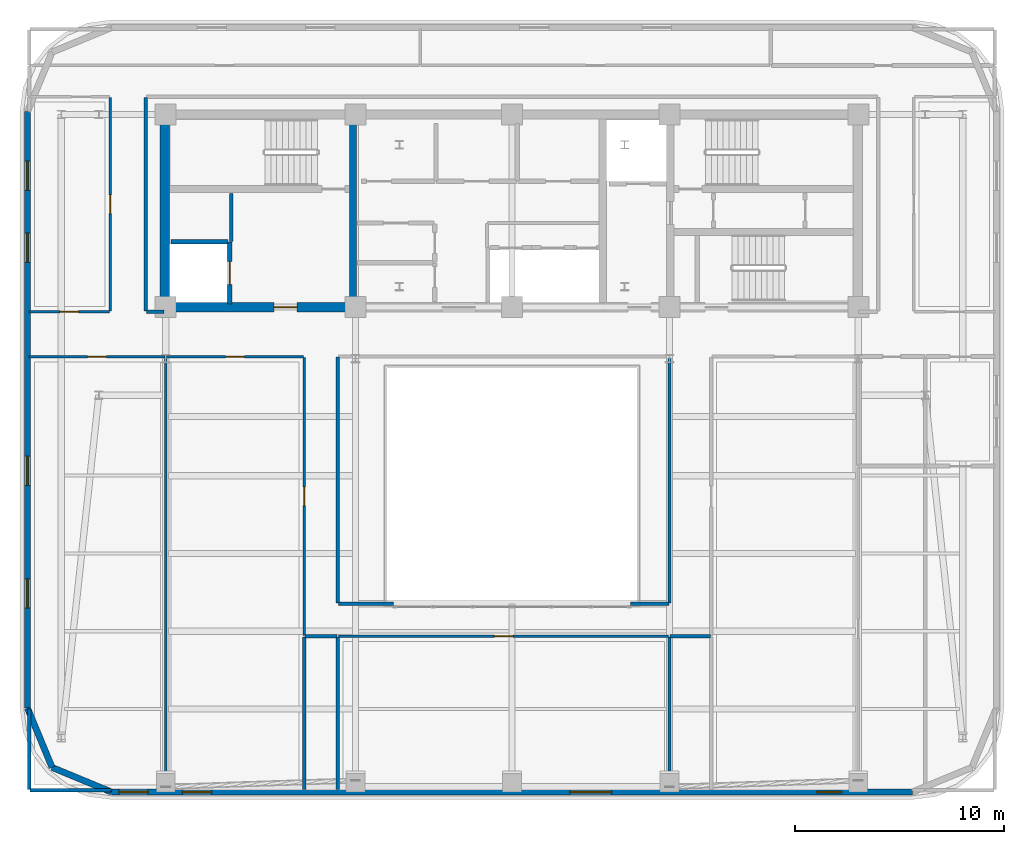
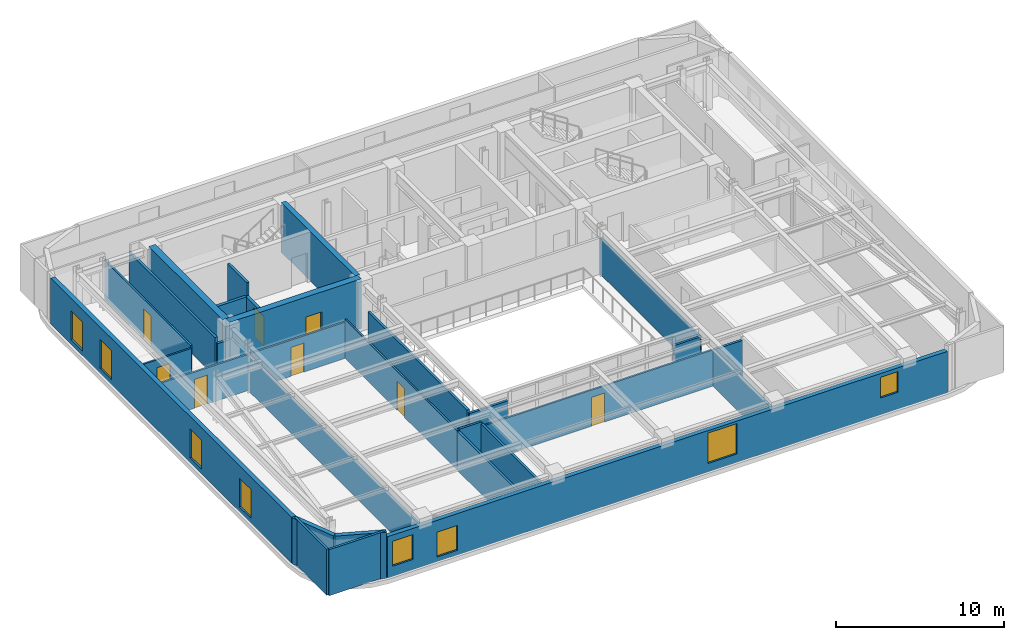
# One storey, part 6 of 13: 30 walls, 8 doors, 8 windows, 16 openings.
"""IFC4 building model written with IfcOpenShell, lengths in metres."""

from ifc_helpers import new_model, si_unit, direction, frame, frame_2d, origin, place, context, subcontext, project, spatial, rectangle, extrude, material, layer, layer_set, type_object, element, fill, save


model = new_model("IFC4")

# Units and contexts
model_context = context("Model", 3, precision=1e-05, world=origin(), true_north=direction((0.0, 1.0)))
body_context = subcontext(model_context, "Body", "Model", "MODEL_VIEW")
ifc_project = project(units=[si_unit("LENGTHUNIT", "METRE"), si_unit("AREAUNIT", "SQUARE_METRE"), si_unit("VOLUMEUNIT", "CUBIC_METRE"), si_unit("PLANEANGLEUNIT", "RADIAN"), si_unit("MASSUNIT", "GRAM", prefix="KILO")], contexts=[model_context])

# Site, building, storey
site_placement = place(None, origin())
site = spatial("IfcSite", under=ifc_project, at=site_placement, CompositionType="ELEMENT")
building_placement = place(site_placement, origin())
building = spatial("IfcBuilding", under=site, at=building_placement, Name="Zarnavel Station Tower", CompositionType="ELEMENT")
storey_placement = place(building_placement, frame((0.0, 0.0, 232.800048828125)))
storey = spatial("IfcBuildingStorey", under=building, at=storey_placement, Name="L63", CompositionType="ELEMENT", Elevation=232.800048828125)

# Wall
ifc_material_1 = material(Name="Concrete C50/60", Category="concrete")
ifc_layer_1 = layer(ifc_material_1, 0.35009765625)
ifc_layer_set_1 = layer_set([ifc_layer_1], Name="CW_350")
wall_type_1 = type_object("IfcWallType", Name="CW_350", PredefinedType="SHEAR", material=ifc_layer_set_1)
wall_1_placement = place(storey_placement, frame((21.179931640625, 28.044921875, 0.0), z_axis=(0.0, 0.0, 1.0), x_axis=(0.0, 1.0, 0.0)))
element("IfcWall", 1, at=wall_1_placement, inside=storey, type_object=wall_type_1, Name="L63 Rear Core Shear Wall DIV-W", PredefinedType="SHEAR", context=body_context, shape_type="SweptSolid", body=[
    extrude(rectangle(XDim=8.780029296875, YDim=0.35009765625, at=frame_2d((4.39013671875, 0.0))), origin(), (0.0, 0.0, 1.0), 3.599853515625),
])

# Wall, opening, door
ifc_material_2 = material(Name="Concrete C50/60", Category="concrete")
ifc_layer_2 = layer(ifc_material_2, 0.449951171875)
ifc_layer_set_2 = layer_set([ifc_layer_2], Name="CW_450")
wall_type_2 = type_object("IfcWallType", Name="CW_450", PredefinedType="SHEAR", material=ifc_layer_set_2)
wall_2_placement = place(storey_placement, frame((21.179931640625, 27.820068359375, 0.0), z_axis=(0.0, 0.0, 1.0), x_axis=(-1.0, 0.0, 0.0)))
wall_2 = element("IfcWall", 2, at=wall_2_placement, inside=storey, type_object=wall_type_2, Name="L63 Rear Core Shear Wall S-W", PredefinedType="SHEAR", context=body_context, shape_type="SweptSolid", body=[
    extrude(rectangle(XDim=9.030029296875, YDim=0.449951171875, at=frame_2d((4.51513671875, 0.0))), origin(), (0.0, 0.0, 1.0), 3.599853515625),
])
opening_1_placement = place(wall_2_placement, frame((2.679931640625, 0.0, 0.0)))
opening_1 = element("IfcOpeningElement", 3, at=opening_1_placement, cuts=wall_2, Name="Opening FD01", PredefinedType="OPENING", context=body_context, shape_type="SweptSolid", body=[
    extrude(rectangle(XDim=1.10009765625, YDim=2.14990234375, at=frame_2d((0.550048828125, 1.074951171875))), frame((0.0, 0.23486328125, 0.0), z_axis=(0.0, -1.0, 0.0), x_axis=(1.0, 0.0, 0.0)), (0.0, 0.0, 1.0), 0.469970703125),
])
ifc_material_3 = material(Name="Painted Galvanised Steel and Hardwood Leaf", Category="steel")
door_type_1 = type_object("IfcDoorType", Name="ID_STAIR_1100", OperationType="NOTDEFINED", PredefinedType="DOOR", material=ifc_material_3)
door_1_placement = place(opening_1_placement, origin())
door_1 = element("IfcDoor", 4, at=door_1_placement, inside=storey, type_object=door_type_1, Name="L63 West Firefighting Lobby Door", OperationType="SINGLE_SWING_RIGHT", OverallHeight=2.14990234375, OverallWidth=1.10009765625, PredefinedType="DOOR", context=body_context, shape_type="SweptSolid", body=[
    extrude(rectangle(XDim=1.10009765625, YDim=2.14990234375, at=frame_2d((0.550048828125, 1.074951171875))), frame((0.0, 0.02490234375, 0.0), z_axis=(0.0, -1.0, 0.0), x_axis=(1.0, 0.0, 0.0)), (0.0, 0.0, 1.0), 0.050048828125),
])
fill(opening_1, door_1)

# Wall
wall_3_placement = place(storey_placement, frame((12.14990234375, 28.044921875, 0.0), z_axis=(0.0, 0.0, 1.0), x_axis=(0.0, 1.0, 0.0)))
element("IfcWall", 5, at=wall_3_placement, inside=storey, type_object=wall_type_2, Name="L63 Rear Core Shear Wall W", PredefinedType="SHEAR", context=body_context, shape_type="SweptSolid", body=[
    extrude(rectangle(XDim=8.780029296875, YDim=0.449951171875, at=frame_2d((4.39013671875, 0.0))), origin(), (0.0, 0.0, 1.0), 3.599853515625),
])

# Wall, openings, windows
ifc_material_4 = material(Name="Precast concrete C45/55 (Dark Basalt Finish)", Category="masonry")
ifc_layer_3 = layer(ifc_material_4, 0.300048828125)
ifc_layer_set_3 = layer_set([ifc_layer_3], Name="EW_BASALT_300")
wall_type_3 = type_object("IfcWallType", Name="EW_BASALT_300", PredefinedType="SOLIDWALL", material=ifc_layer_set_3)
wall_4_placement = place(storey_placement, frame((5.580078125, 8.60009765625, 0.0), z_axis=(0.0, 0.0, 1.0), x_axis=(0.0, 1.0, 0.0)))
wall_4 = element("IfcWall", 6, at=wall_4_placement, inside=storey, type_object=wall_type_3, Name="L63 Exterior Basalt Masonry Frame Wall 09", PredefinedType="SOLIDWALL", context=body_context, shape_type="SweptSolid", body=[
    extrude(rectangle(XDim=28.599853515625, YDim=0.300048828125, at=frame_2d((14.2998046875, 0.0))), origin(), (0.0, 0.0, 1.0), 3.33984375),
])
opening_2_placement = place(wall_4_placement, frame((21.360107421875, 0.0, 0.340087890625)))
opening_2 = element("IfcOpeningElement", 7, at=opening_2_placement, cuts=wall_4, Name="Opening WN04", PredefinedType="OPENING", context=body_context, shape_type="SweptSolid", body=[
    extrude(rectangle(XDim=1.39990234375, YDim=2.10009765625, at=frame_2d((0.699951171875, 1.050048828125))), frame((0.0, 0.159912109375, 0.0), z_axis=(0.0, -1.0, 0.0), x_axis=(1.0, 0.0, 0.0)), (0.0, 0.0, 1.0), 0.320068359375),
])
opening_3_placement = place(wall_4_placement, frame((24.820068359375, 0.0, 0.340087890625)))
opening_3 = element("IfcOpeningElement", 8, at=opening_3_placement, cuts=wall_4, Name="Opening WN04", PredefinedType="OPENING", context=body_context, shape_type="SweptSolid", body=[
    extrude(rectangle(XDim=1.39990234375, YDim=2.10009765625, at=frame_2d((0.699951171875, 1.050048828125))), frame((0.0, 0.159912109375, 0.0), z_axis=(0.0, -1.0, 0.0), x_axis=(1.0, 0.0, 0.0)), (0.0, 0.0, 1.0), 0.320068359375),
])
opening_4_placement = place(wall_4_placement, frame((4.796630859375, 0.0, 0.340087890625)))
opening_4 = element("IfcOpeningElement", 9, at=opening_4_placement, cuts=wall_4, Name="Opening WN04", PredefinedType="OPENING", context=body_context, shape_type="SweptSolid", body=[
    extrude(rectangle(XDim=1.39990234375, YDim=2.10009765625, at=frame_2d((0.699951171875, 1.050048828125))), frame((0.0, 0.159912109375, 0.0), z_axis=(0.0, -1.0, 0.0), x_axis=(1.0, 0.0, 0.0)), (0.0, 0.0, 1.0), 0.320068359375),
])
opening_5_placement = place(wall_4_placement, frame((10.67333984375, 0.0, 0.340087890625)))
opening_5 = element("IfcOpeningElement", 10, at=opening_5_placement, cuts=wall_4, Name="Opening WN04", PredefinedType="OPENING", context=body_context, shape_type="SweptSolid", body=[
    extrude(rectangle(XDim=1.39990234375, YDim=2.10009765625, at=frame_2d((0.699951171875, 1.050048828125))), frame((0.0, 0.159912109375, 0.0), z_axis=(0.0, -1.0, 0.0), x_axis=(1.0, 0.0, 0.0)), (0.0, 0.0, 1.0), 0.320068359375),
])
ifc_material_5 = material(Name="Thermally Broken Black Aluminium and Low-E Dark Glass", Category="aluminium")
window_type_1 = type_object("IfcWindowType", Name="WN_1400x2100", PartitioningType="DOUBLE_PANEL_VERTICAL", PredefinedType="WINDOW", material=ifc_material_5)
window_1_placement = place(opening_2_placement, origin())
window_1 = element("IfcWindow", 11, at=window_1_placement, inside=storey, type_object=window_type_1, Name="L63 Recessed Facade Window 01", OverallHeight=2.10009765625, OverallWidth=1.39990234375, PartitioningType="SINGLE_PANEL", PredefinedType="WINDOW", context=body_context, shape_type="SweptSolid", body=[
    extrude(rectangle(XDim=1.39990234375, YDim=2.10009765625, at=frame_2d((0.699951171875, 1.050048828125))), frame((0.0, 0.030029296875, 0.0), z_axis=(0.0, -1.0, 0.0), x_axis=(1.0, 0.0, 0.0)), (0.0, 0.0, 1.0), 0.06005859375),
])
fill(opening_2, window_1)
window_2_placement = place(opening_3_placement, origin())
window_2 = element("IfcWindow", 12, at=window_2_placement, inside=storey, type_object=window_type_1, Name="L63 Recessed Facade Window 02", OverallHeight=2.10009765625, OverallWidth=1.39990234375, PartitioningType="SINGLE_PANEL", PredefinedType="WINDOW", context=body_context, shape_type="SweptSolid", body=[
    extrude(rectangle(XDim=1.39990234375, YDim=2.10009765625, at=frame_2d((0.699951171875, 1.050048828125))), frame((0.0, 0.030029296875, 0.0), z_axis=(0.0, -1.0, 0.0), x_axis=(1.0, 0.0, 0.0)), (0.0, 0.0, 1.0), 0.06005859375),
])
fill(opening_3, window_2)
window_3_placement = place(opening_4_placement, origin())
window_3 = element("IfcWindow", 13, at=window_3_placement, inside=storey, type_object=window_type_1, Name="L63 Recessed Facade Window 03", OverallHeight=2.10009765625, OverallWidth=1.39990234375, PartitioningType="SINGLE_PANEL", PredefinedType="WINDOW", context=body_context, shape_type="SweptSolid", body=[
    extrude(rectangle(XDim=1.39990234375, YDim=2.10009765625, at=frame_2d((0.699951171875, 1.050048828125))), frame((0.0, 0.030029296875, 0.0), z_axis=(0.0, -1.0, 0.0), x_axis=(1.0, 0.0, 0.0)), (0.0, 0.0, 1.0), 0.06005859375),
])
fill(opening_4, window_3)
window_4_placement = place(opening_5_placement, origin())
window_4 = element("IfcWindow", 14, at=window_4_placement, inside=storey, type_object=window_type_1, Name="L63 Recessed Facade Window 04", OverallHeight=2.10009765625, OverallWidth=1.39990234375, PartitioningType="SINGLE_PANEL", PredefinedType="WINDOW", context=body_context, shape_type="SweptSolid", body=[
    extrude(rectangle(XDim=1.39990234375, YDim=2.10009765625, at=frame_2d((0.699951171875, 1.050048828125))), frame((0.0, 0.030029296875, 0.0), z_axis=(0.0, -1.0, 0.0), x_axis=(1.0, 0.0, 0.0)), (0.0, 0.0, 1.0), 0.06005859375),
])
fill(opening_5, window_4)

# Walls
for number, where, z_axis, x_axis, name in (
    (15, (6.75732421875, 5.75732421875, 0.0), (0.0, 0.0, 1.0), (-0.382608747773, 0.923910464346, 0.0), "L63 Exterior Basalt Masonry Frame Wall 10"),
    (16, (9.60009765625, 4.580078125, 0.0), (0.0, 0.0, 1.0), (-0.923910464346, 0.382608747773, 0.0), "L63 Exterior Basalt Masonry Frame Wall 11"),
):
    element("IfcWall", number, at=place(storey_placement, frame(where, z_axis=z_axis, x_axis=x_axis)), inside=storey, type_object=wall_type_3, Name=name, PredefinedType="SOLIDWALL", context=body_context, shape_type="SweptSolid", body=[
        extrude(rectangle(XDim=3.076904296875, YDim=0.300048828125, at=frame_2d((1.53857421875, 0.0))), origin(), (0.0, 0.0, 1.0), 3.33984375),
    ])

# Wall, openings, windows
wall_5_placement = place(storey_placement, frame((48.0, 4.580078125, 0.0), z_axis=(0.0, 0.0, 1.0), x_axis=(-1.0, 0.0, 0.0)))
wall_5 = element("IfcWall", 17, at=wall_5_placement, inside=storey, type_object=wall_type_3, Name="L63 Exterior Basalt Masonry Frame Wall 12", PredefinedType="SOLIDWALL", context=body_context, shape_type="SweptSolid", body=[
    extrude(rectangle(XDim=38.39990234375, YDim=0.300048828125, at=frame_2d((19.199951171875, 0.0))), origin(), (0.0, 0.0, 1.0), 3.0),
])
opening_6_placement = place(wall_5_placement, frame((36.640625, 0.0, 0.75)))
opening_6 = element("IfcOpeningElement", 18, at=opening_6_placement, cuts=wall_5, Name="Opening WN01", PredefinedType="OPENING", context=body_context, shape_type="SweptSolid", body=[
    extrude(rectangle(XDim=1.39990234375, YDim=1.800048828125, at=frame_2d((0.699951171875, 0.89990234375))), frame((0.0, 0.159912109375, 0.0), z_axis=(0.0, -1.0, 0.0), x_axis=(1.0, 0.0, 0.0)), (0.0, 0.0, 1.0), 0.320068359375),
])
opening_7_placement = place(wall_5_placement, frame((33.598388671875, 0.0, 0.340087890625)))
opening_7 = element("IfcOpeningElement", 19, at=opening_7_placement, cuts=wall_5, Name="Opening WN01", PredefinedType="OPENING", context=body_context, shape_type="SweptSolid", body=[
    extrude(rectangle(XDim=1.39990234375, YDim=1.800048828125, at=frame_2d((0.699951171875, 0.89990234375))), frame((0.0, 0.159912109375, 0.0), z_axis=(0.0, -1.0, 0.0), x_axis=(1.0, 0.0, 0.0)), (0.0, 0.0, 1.0), 0.320068359375),
])
opening_8_placement = place(wall_5_placement, frame((14.425048828125, 0.0, 0.6201171875)))
opening_8 = element("IfcOpeningElement", 20, at=opening_8_placement, cuts=wall_5, Name="Opening WN07", PredefinedType="OPENING", context=body_context, shape_type="SweptSolid", body=[
    extrude(rectangle(XDim=2.0, YDim=2.199951171875, at=frame_2d((1.0, 1.10009765625))), frame((0.0, 0.159912109375, 0.0), z_axis=(0.0, -1.0, 0.0), x_axis=(1.0, 0.0, 0.0)), (0.0, 0.0, 1.0), 0.320068359375),
])
opening_9_placement = place(wall_5_placement, frame((3.401611328125, 0.0, 1.219970703125)))
opening_9 = element("IfcOpeningElement", 21, at=opening_9_placement, cuts=wall_5, Name="Opening WN08", PredefinedType="OPENING", context=body_context, shape_type="SweptSolid", body=[
    extrude(rectangle(XDim=1.199951171875, YDim=1.5, at=frame_2d((0.60009765625, 0.75))), frame((0.0, 0.159912109375, 0.0), z_axis=(0.0, -1.0, 0.0), x_axis=(1.0, 0.0, 0.0)), (0.0, 0.0, 1.0), 0.320068359375),
])
ifc_material_6 = material(Name="Thermally Broken Black Aluminium and Low-E Dark Glass", Category="aluminium")
window_type_2 = type_object("IfcWindowType", Name="WN_1200x1500", PartitioningType="SINGLE_PANEL", PredefinedType="WINDOW", material=ifc_material_6)
window_5_placement = place(opening_9_placement, origin())
window_5 = element("IfcWindow", 22, at=window_5_placement, inside=storey, type_object=window_type_2, Name="L63 Recessed Facade Window 04", OverallHeight=1.5, OverallWidth=1.199951171875, PartitioningType="SINGLE_PANEL", PredefinedType="WINDOW", context=body_context, shape_type="SweptSolid", body=[
    extrude(rectangle(XDim=1.199951171875, YDim=1.5, at=frame_2d((0.60009765625, 0.75))), frame((0.0, 0.030029296875, 0.0), z_axis=(0.0, -1.0, 0.0), x_axis=(1.0, 0.0, 0.0)), (0.0, 0.0, 1.0), 0.06005859375),
])
fill(opening_9, window_5)
ifc_material_7 = material(Name="Thermally Broken Black Aluminium and Low-E Dark Glass", Category="aluminium")
window_type_3 = type_object("IfcWindowType", Name="WN_1400x1800", PartitioningType="DOUBLE_PANEL_VERTICAL", PredefinedType="WINDOW", material=ifc_material_7)
window_6_placement = place(opening_6_placement, origin())
window_6 = element("IfcWindow", 23, at=window_6_placement, inside=storey, type_object=window_type_3, Name="L63 Recessed Facade Window 01", OverallHeight=1.800048828125, OverallWidth=1.39990234375, PartitioningType="SINGLE_PANEL", PredefinedType="WINDOW", context=body_context, shape_type="SweptSolid", body=[
    extrude(rectangle(XDim=1.39990234375, YDim=1.800048828125, at=frame_2d((0.699951171875, 0.89990234375))), frame((0.0, 0.030029296875, 0.0), z_axis=(0.0, -1.0, 0.0), x_axis=(1.0, 0.0, 0.0)), (0.0, 0.0, 1.0), 0.06005859375),
])
fill(opening_6, window_6)
window_7_placement = place(opening_7_placement, origin())
window_7 = element("IfcWindow", 24, at=window_7_placement, inside=storey, type_object=window_type_3, Name="L63 Recessed Facade Window 02", OverallHeight=1.800048828125, OverallWidth=1.39990234375, PartitioningType="SINGLE_PANEL", PredefinedType="WINDOW", context=body_context, shape_type="SweptSolid", body=[
    extrude(rectangle(XDim=1.39990234375, YDim=1.800048828125, at=frame_2d((0.699951171875, 0.89990234375))), frame((0.0, 0.030029296875, 0.0), z_axis=(0.0, -1.0, 0.0), x_axis=(1.0, 0.0, 0.0)), (0.0, 0.0, 1.0), 0.06005859375),
])
fill(opening_7, window_7)
ifc_material_8 = material(Name="Thermally Broken Black Aluminium and Low-E Dark Glass", Category="aluminium")
window_type_4 = type_object("IfcWindowType", Name="WN_2000x2200", PartitioningType="TRIPLE_PANEL_VERTICAL", PredefinedType="WINDOW", material=ifc_material_8)
window_8_placement = place(opening_8_placement, origin())
window_8 = element("IfcWindow", 25, at=window_8_placement, inside=storey, type_object=window_type_4, Name="L63 Recessed Facade Window 03", OverallHeight=2.199951171875, OverallWidth=2.0, PartitioningType="SINGLE_PANEL", PredefinedType="WINDOW", context=body_context, shape_type="SweptSolid", body=[
    extrude(rectangle(XDim=2.0, YDim=2.199951171875, at=frame_2d((1.0, 1.10009765625))), frame((0.0, 0.030029296875, 0.0), z_axis=(0.0, -1.0, 0.0), x_axis=(1.0, 0.0, 0.0)), (0.0, 0.0, 1.0), 0.06005859375),
])
fill(opening_8, window_8)

# Walls
ifc_material_9 = material(Name="Gypsum Twin-Stud Acoustic Fire Partition", Category="concrete")
ifc_layer_4 = layer(ifc_material_9, 0.159912109375)
ifc_layer_set_4 = layer_set([ifc_layer_4], Name="PT_DEMISE_160")
wall_type_4 = type_object("IfcWallType", Name="PT_DEMISE_160", PredefinedType="PARTITIONING", material=ifc_layer_set_4)
wall_6_placement = place(storey_placement, frame((15.35009765625, 30.9599609375, 0.0), z_axis=(0.0, 0.0, 1.0), x_axis=(0.0, 1.0, 0.0)))
element("IfcWall", 26, at=wall_6_placement, inside=storey, type_object=wall_type_4, Name="L63 Enclosure Wall FFL1", PredefinedType="PARTITIONING", context=body_context, shape_type="SweptSolid", body=[
    extrude(rectangle(XDim=2.31005859375, YDim=0.159912109375, at=frame_2d((1.155029296875, 0.0))), origin(), (0.0, 0.0, 1.0), 3.33984375),
])
wall_7_placement = place(storey_placement, frame((11.280029296875, 27.60009765625, 0.0), z_axis=(0.0, 0.0, 1.0), x_axis=(1.0, 0.0, 0.0)))
element("IfcWall", 27, at=wall_7_placement, inside=storey, type_object=wall_type_4, Name="L63 Enclosure Wall COR-S", PredefinedType="PARTITIONING", context=body_context, shape_type="SweptSolid", body=[
    extrude(rectangle(XDim=0.840087890625, YDim=0.159912109375, at=frame_2d((0.419921875, 0.0))), origin(), (0.0, 0.0, 1.0), 2.409912109375),
])
wall_8_placement = place(storey_placement, frame((18.8798828125, 12.050048828125, 0.0), z_axis=(0.0, 0.0, 1.0), x_axis=(1.0, 0.0, 0.0)))
element("IfcWall", 28, at=wall_8_placement, inside=storey, type_object=wall_type_4, Name="L63 Enclosure Wall COR-AW", PredefinedType="PARTITIONING", context=body_context, shape_type="SweptSolid", body=[
    extrude(rectangle(XDim=1.5400390625, YDim=0.159912109375, at=frame_2d((0.77001953125, 0.0))), origin(), (0.0, 0.0, 1.0), 2.969970703125),
])
wall_9_placement = place(storey_placement, frame((20.449951171875, 13.6298828125, 0.0), z_axis=(0.0, 0.0, 1.0), x_axis=(0.0, 1.0, 0.0)))
element("IfcWall", 29, at=wall_9_placement, inside=storey, type_object=wall_type_4, Name="L63 Enclosure Wall COR-AW", PredefinedType="PARTITIONING", context=body_context, shape_type="SweptSolid", body=[
    extrude(rectangle(XDim=11.7900390625, YDim=0.159912109375, at=frame_2d((5.89501953125, 0.0))), origin(), (0.0, 0.0, 1.0), 2.829833984375),
])
wall_10_placement = place(storey_placement, frame((36.3798828125, 12.050048828125, 0.0), z_axis=(0.0, 0.0, 1.0), x_axis=(1.0, 0.0, 0.0)))
element("IfcWall", 30, at=wall_10_placement, inside=storey, type_object=wall_type_4, Name="L63 Enclosure Wall COR-AE", PredefinedType="PARTITIONING", context=body_context, shape_type="SweptSolid", body=[
    extrude(rectangle(XDim=1.940185546875, YDim=0.159912109375, at=frame_2d((0.97021484375, 0.0))), origin(), (0.0, 0.0, 1.0), 2.619873046875),
])
wall_11_placement = place(storey_placement, frame((36.35009765625, 13.6298828125, 0.0), z_axis=(0.0, 0.0, 1.0), x_axis=(0.0, 1.0, 0.0)))
element("IfcWall", 31, at=wall_11_placement, inside=storey, type_object=wall_type_4, Name="L63 Enclosure Wall COR-AE", PredefinedType="PARTITIONING", context=body_context, shape_type="SweptSolid", body=[
    extrude(rectangle(XDim=11.7900390625, YDim=0.159912109375, at=frame_2d((5.89501953125, 0.0))), origin(), (0.0, 0.0, 1.0), 2.619873046875),
])
wall_12_placement = place(storey_placement, frame((20.47998046875, 13.60009765625, 0.0), z_axis=(0.0, 0.0, 1.0), x_axis=(1.0, 0.0, 0.0)))
element("IfcWall", 32, at=wall_12_placement, inside=storey, type_object=wall_type_4, Name="L63 Enclosure Wall COR-AS", PredefinedType="PARTITIONING", context=body_context, shape_type="SweptSolid", body=[
    extrude(rectangle(XDim=2.64013671875, YDim=0.159912109375, at=frame_2d((1.320068359375, 0.0))), origin(), (0.0, 0.0, 1.0), 2.619873046875),
])
wall_13_placement = place(storey_placement, frame((34.47998046875, 13.60009765625, 0.0), z_axis=(0.0, 0.0, 1.0), x_axis=(1.0, 0.0, 0.0)))
element("IfcWall", 33, at=wall_13_placement, inside=storey, type_object=wall_type_4, Name="L63 Enclosure Wall COR-AS", PredefinedType="PARTITIONING", context=body_context, shape_type="SweptSolid", body=[
    extrude(rectangle(XDim=1.840087890625, YDim=0.159912109375, at=frame_2d((0.919921875, 0.0))), origin(), (0.0, 0.0, 1.0), 2.619873046875),
])
wall_14_placement = place(storey_placement, frame((11.25, 27.6298828125, 0.0), z_axis=(0.0, 0.0, 1.0), x_axis=(0.0, 1.0, 0.0)))
element("IfcWall", 34, at=wall_14_placement, inside=storey, type_object=wall_type_4, Name="L63 Enclosure Wall COR-W", PredefinedType="PARTITIONING", context=body_context, shape_type="SweptSolid", body=[
    extrude(rectangle(XDim=10.240234375, YDim=0.159912109375, at=frame_2d((5.1201171875, 0.0))), origin(), (0.0, 0.0, 1.0), 2.820068359375),
])
for number, where, z_axis, x_axis, name in (
    (35, (5.68994140625, 4.659912109375, 0.0), (0.0, 0.0, 1.0), (1.0, 0.0, 0.0), "L63 Enclosure Wall L63CLB"),
    (36, (5.659912109375, 4.68994140625, 0.0), (0.0, 0.0, 1.0), (0.0, 1.0, 0.0), "L63 Enclosure Wall L63CLB"),
):
    element("IfcWall", number, at=place(storey_placement, frame(where, z_axis=z_axis, x_axis=x_axis)), inside=storey, type_object=wall_type_4, Name=name, PredefinedType="PARTITIONING", context=body_context, shape_type="SweptSolid", body=[
        extrude(rectangle(XDim=3.880126953125, YDim=0.159912109375, at=frame_2d((1.93994140625, 0.0))), origin(), (0.0, 0.0, 1.0), 3.33984375),
    ])
for number, where, z_axis, x_axis, name in (
    (37, (18.85009765625, 4.68994140625, 0.0), (0.0, 0.0, 1.0), (0.0, 1.0, 0.0), "L63 Enclosure Wall L63BRD"),
    (38, (20.449951171875, 4.68994140625, 0.0), (0.0, 0.0, 1.0), (0.0, 1.0, 0.0), "L63 Enclosure Wall L63DIN"),
):
    element("IfcWall", number, at=place(storey_placement, frame(where, z_axis=z_axis, x_axis=x_axis)), inside=storey, type_object=wall_type_4, Name=name, PredefinedType="PARTITIONING", context=body_context, shape_type="SweptSolid", body=[
        extrude(rectangle(XDim=7.330078125, YDim=0.159912109375, at=frame_2d((3.6650390625, 0.0))), origin(), (0.0, 0.0, 1.0), 2.829833984375),
    ])
wall_15_placement = place(storey_placement, frame((36.35009765625, 4.68994140625, 0.0), z_axis=(0.0, 0.0, 1.0), x_axis=(0.0, 1.0, 0.0)))
element("IfcWall", 39, at=wall_15_placement, inside=storey, type_object=wall_type_4, Name="L63 Enclosure Wall L63DIN", PredefinedType="PARTITIONING", context=body_context, shape_type="SweptSolid", body=[
    extrude(rectangle(XDim=7.330078125, YDim=0.159912109375, at=frame_2d((3.6650390625, 0.0))), origin(), (0.0, 0.0, 1.0), 2.619873046875),
])

# Wall, opening, door
ifc_material_10 = material(Name="Gypsum Metal-Stud Interior Partition", Category="concrete")
ifc_layer_5 = layer(ifc_material_10, 0.1201171875)
ifc_layer_set_5 = layer_set([ifc_layer_5], Name="PT_ROOM_120")
wall_type_5 = type_object("IfcWallType", Name="PT_ROOM_120", PredefinedType="PARTITIONING", material=ifc_layer_set_5)
wall_16_placement = place(storey_placement, frame((5.659912109375, 27.60009765625, 0.0), z_axis=(0.0, 0.0, 1.0), x_axis=(1.0, 0.0, 0.0)))
wall_16 = element("IfcWall", 40, at=wall_16_placement, inside=storey, type_object=wall_type_5, Name="L63 Partition COR-S-FNW", PredefinedType="PARTITIONING", context=body_context, shape_type="SweptSolid", body=[
    extrude(rectangle(XDim=3.85009765625, YDim=0.1201171875, at=frame_2d((1.925048828125, 0.0))), origin(), (0.0, 0.0, 1.0), 2.669921875),
])
opening_10_placement = place(wall_16_placement, frame((1.47509765625, 0.0, 0.0)))
opening_10 = element("IfcOpeningElement", 41, at=opening_10_placement, cuts=wall_16, Name="Opening ID01", PredefinedType="OPENING", context=body_context, shape_type="SweptSolid", body=[
    extrude(rectangle(XDim=0.89990234375, YDim=2.10009765625, at=frame_2d((0.449951171875, 1.050048828125))), frame((0.0, 0.070068359375, 0.0), z_axis=(0.0, -1.0, 0.0), x_axis=(1.0, 0.0, 0.0)), (0.0, 0.0, 1.0), 0.14013671875),
])
ifc_material_11 = material(Name="Painted Galvanised Steel and Hardwood Leaf", Category="steel")
door_type_2 = type_object("IfcDoorType", Name="ID_ROOM_900", OperationType="NOTDEFINED", PredefinedType="DOOR", material=ifc_material_11)
door_2_placement = place(opening_10_placement, origin())
door_2 = element("IfcDoor", 42, at=door_2_placement, inside=storey, type_object=door_type_2, Name="L63 Door COR-S-FNW", OperationType="SINGLE_SWING_LEFT", OverallHeight=2.10009765625, OverallWidth=0.89990234375, PredefinedType="DOOR", context=body_context, shape_type="SweptSolid", body=[
    extrude(rectangle(XDim=0.89990234375, YDim=2.10009765625, at=frame_2d((0.449951171875, 1.050048828125))), frame((0.0, 0.02490234375, 0.0), z_axis=(0.0, -1.0, 0.0), x_axis=(1.0, 0.0, 0.0)), (0.0, 0.0, 1.0), 0.050048828125),
])
fill(opening_10, door_2)

wall_17_placement = place(storey_placement, frame((5.659912109375, 25.449951171875, 0.0), z_axis=(0.0, 0.0, 1.0), x_axis=(1.0, 0.0, 0.0)))
wall_17 = element("IfcWall", 43, at=wall_17_placement, inside=storey, type_object=wall_type_5, Name="L63 Partition COR-S-L63CLB", PredefinedType="PARTITIONING", context=body_context, shape_type="SweptSolid", body=[
    extrude(rectangle(XDim=6.5, YDim=0.1201171875, at=frame_2d((3.25, 0.0))), origin(), (0.0, 0.0, 1.0), 2.619873046875),
])
opening_11_placement = place(wall_17_placement, frame((2.800048828125, 0.0, 0.0)))
opening_11 = element("IfcOpeningElement", 44, at=opening_11_placement, cuts=wall_17, Name="Opening ID01", PredefinedType="OPENING", context=body_context, shape_type="SweptSolid", body=[
    extrude(rectangle(XDim=0.89990234375, YDim=2.10009765625, at=frame_2d((0.449951171875, 1.050048828125))), frame((0.0, 0.070068359375, 0.0), z_axis=(0.0, -1.0, 0.0), x_axis=(1.0, 0.0, 0.0)), (0.0, 0.0, 1.0), 0.14013671875),
])
door_3_placement = place(opening_11_placement, origin())
door_3 = element("IfcDoor", 45, at=door_3_placement, inside=storey, type_object=door_type_2, Name="L63 Door COR-S-L63CLB", OperationType="SINGLE_SWING_LEFT", OverallHeight=2.10009765625, OverallWidth=0.89990234375, PredefinedType="DOOR", context=body_context, shape_type="SweptSolid", body=[
    extrude(rectangle(XDim=0.89990234375, YDim=2.10009765625, at=frame_2d((0.449951171875, 1.050048828125))), frame((0.0, 0.02490234375, 0.0), z_axis=(0.0, -1.0, 0.0), x_axis=(1.0, 0.0, 0.0)), (0.0, 0.0, 1.0), 0.050048828125),
])
fill(opening_11, door_3)

wall_18_placement = place(storey_placement, frame((12.239990234375, 25.449951171875, 0.0), z_axis=(0.0, 0.0, 1.0), x_axis=(1.0, 0.0, 0.0)))
wall_18 = element("IfcWall", 46, at=wall_18_placement, inside=storey, type_object=wall_type_5, Name="L63 Partition COR-S-L63BRD", PredefinedType="PARTITIONING", context=body_context, shape_type="SweptSolid", body=[
    extrude(rectangle(XDim=6.570068359375, YDim=0.1201171875, at=frame_2d((3.28515625, 0.0))), origin(), (0.0, 0.0, 1.0), 2.619873046875),
])
opening_12_placement = place(wall_18_placement, frame((2.8349609375, 0.0, 0.0)))
opening_12 = element("IfcOpeningElement", 47, at=opening_12_placement, cuts=wall_18, Name="Opening ID01", PredefinedType="OPENING", context=body_context, shape_type="SweptSolid", body=[
    extrude(rectangle(XDim=0.89990234375, YDim=2.10009765625, at=frame_2d((0.449951171875, 1.050048828125))), frame((0.0, 0.070068359375, 0.0), z_axis=(0.0, -1.0, 0.0), x_axis=(1.0, 0.0, 0.0)), (0.0, 0.0, 1.0), 0.14013671875),
])
door_4_placement = place(opening_12_placement, origin())
door_4 = element("IfcDoor", 48, at=door_4_placement, inside=storey, type_object=door_type_2, Name="L63 Door COR-S-L63BRD", OperationType="SINGLE_SWING_RIGHT", OverallHeight=2.10009765625, OverallWidth=0.89990234375, PredefinedType="DOOR", context=body_context, shape_type="SweptSolid", body=[
    extrude(rectangle(XDim=0.89990234375, YDim=2.10009765625, at=frame_2d((0.449951171875, 1.050048828125))), frame((0.0, 0.02490234375, 0.0), z_axis=(0.0, -1.0, 0.0), x_axis=(1.0, 0.0, 0.0)), (0.0, 0.0, 1.0), 0.050048828125),
])
fill(opening_12, door_4)

wall_19_placement = place(storey_placement, frame((18.85009765625, 12.090087890625, 0.0), z_axis=(0.0, 0.0, 1.0), x_axis=(0.0, 1.0, 0.0)))
wall_19 = element("IfcWall", 49, at=wall_19_placement, inside=storey, type_object=wall_type_5, Name="L63 Partition COR-AW-L63BRD", PredefinedType="PARTITIONING", context=body_context, shape_type="SweptSolid", body=[
    extrude(rectangle(XDim=13.31982421875, YDim=0.1201171875, at=frame_2d((6.659912109375, 0.0))), origin(), (0.0, 0.0, 1.0), 2.829833984375),
])
opening_13_placement = place(wall_19_placement, frame((6.2099609375, 0.0, 0.0)))
opening_13 = element("IfcOpeningElement", 50, at=opening_13_placement, cuts=wall_19, Name="Opening ID01", PredefinedType="OPENING", context=body_context, shape_type="SweptSolid", body=[
    extrude(rectangle(XDim=0.89990234375, YDim=2.10009765625, at=frame_2d((0.449951171875, 1.050048828125))), frame((0.0, 0.070068359375, 0.0), z_axis=(0.0, -1.0, 0.0), x_axis=(1.0, 0.0, 0.0)), (0.0, 0.0, 1.0), 0.14013671875),
])
door_5_placement = place(opening_13_placement, origin())
door_5 = element("IfcDoor", 51, at=door_5_placement, inside=storey, type_object=door_type_2, Name="L63 Door COR-AW-L63BRD", OperationType="SINGLE_SWING_RIGHT", OverallHeight=2.10009765625, OverallWidth=0.89990234375, PredefinedType="DOOR", context=body_context, shape_type="SweptSolid", body=[
    extrude(rectangle(XDim=0.89990234375, YDim=2.10009765625, at=frame_2d((0.449951171875, 1.050048828125))), frame((0.0, 0.02490234375, 0.0), z_axis=(0.0, -1.0, 0.0), x_axis=(1.0, 0.0, 0.0)), (0.0, 0.0, 1.0), 0.050048828125),
])
fill(opening_13, door_5)

wall_20_placement = place(storey_placement, frame((20.489990234375, 12.050048828125, 0.0), z_axis=(0.0, 0.0, 1.0), x_axis=(1.0, 0.0, 0.0)))
wall_20 = element("IfcWall", 52, at=wall_20_placement, inside=storey, type_object=wall_type_5, Name="L63 Partition COR-AS-L63DIN", PredefinedType="PARTITIONING", context=body_context, shape_type="SweptSolid", body=[
    extrude(rectangle(XDim=15.820068359375, YDim=0.1201171875, at=frame_2d((7.91015625, 0.0))), origin(), (0.0, 0.0, 1.0), 2.619873046875),
])
opening_14_placement = place(wall_20_placement, frame((7.4599609375, 0.0, 0.0)))
opening_14 = element("IfcOpeningElement", 53, at=opening_14_placement, cuts=wall_20, Name="Opening ID01", PredefinedType="OPENING", context=body_context, shape_type="SweptSolid", body=[
    extrude(rectangle(XDim=0.89990234375, YDim=2.10009765625, at=frame_2d((0.449951171875, 1.050048828125))), frame((0.0, 0.070068359375, 0.0), z_axis=(0.0, -1.0, 0.0), x_axis=(1.0, 0.0, 0.0)), (0.0, 0.0, 1.0), 0.14013671875),
])
door_6_placement = place(opening_14_placement, origin())
door_6 = element("IfcDoor", 54, at=door_6_placement, inside=storey, type_object=door_type_2, Name="L63 Door COR-AS-L63DIN", OperationType="SINGLE_SWING_RIGHT", OverallHeight=2.10009765625, OverallWidth=0.89990234375, PredefinedType="DOOR", context=body_context, shape_type="SweptSolid", body=[
    extrude(rectangle(XDim=0.89990234375, YDim=2.10009765625, at=frame_2d((0.449951171875, 1.050048828125))), frame((0.0, 0.02490234375, 0.0), z_axis=(0.0, -1.0, 0.0), x_axis=(1.0, 0.0, 0.0)), (0.0, 0.0, 1.0), 0.050048828125),
])
fill(opening_14, door_6)

wall_21_placement = place(storey_placement, frame((9.550048828125, 27.639892578125, 0.0), z_axis=(0.0, 0.0, 1.0), x_axis=(0.0, 1.0, 0.0)))
wall_21 = element("IfcWall", 55, at=wall_21_placement, inside=storey, type_object=wall_type_5, Name="L63 Partition COR-W-FNW", PredefinedType="PARTITIONING", context=body_context, shape_type="SweptSolid", body=[
    extrude(rectangle(XDim=10.22021484375, YDim=0.1201171875, at=frame_2d((5.110107421875, 0.0))), origin(), (0.0, 0.0, 1.0), 2.820068359375),
])
opening_15_placement = place(wall_21_placement, frame((4.659912109375, 0.0, 0.0)))
opening_15 = element("IfcOpeningElement", 56, at=opening_15_placement, cuts=wall_21, Name="Opening ID01", PredefinedType="OPENING", context=body_context, shape_type="SweptSolid", body=[
    extrude(rectangle(XDim=0.89990234375, YDim=2.10009765625, at=frame_2d((0.449951171875, 1.050048828125))), frame((0.0, 0.070068359375, 0.0), z_axis=(0.0, -1.0, 0.0), x_axis=(1.0, 0.0, 0.0)), (0.0, 0.0, 1.0), 0.14013671875),
])
door_7_placement = place(opening_15_placement, origin())
door_7 = element("IfcDoor", 57, at=door_7_placement, inside=storey, type_object=door_type_2, Name="L63 Door COR-W-FNW", OperationType="SINGLE_SWING_LEFT", OverallHeight=2.10009765625, OverallWidth=0.89990234375, PredefinedType="DOOR", context=body_context, shape_type="SweptSolid", body=[
    extrude(rectangle(XDim=0.89990234375, YDim=2.10009765625, at=frame_2d((0.449951171875, 1.050048828125))), frame((0.0, 0.02490234375, 0.0), z_axis=(0.0, -1.0, 0.0), x_axis=(1.0, 0.0, 0.0)), (0.0, 0.0, 1.0), 0.050048828125),
])
fill(opening_15, door_7)

# Wall
wall_22_placement = place(storey_placement, frame((12.199951171875, 4.659912109375, 0.0), z_axis=(0.0, 0.0, 1.0), x_axis=(0.0, 1.0, 0.0)))
element("IfcWall", 58, at=wall_22_placement, inside=storey, type_object=wall_type_5, Name="L63 Partition L63CLB-L63BRD", PredefinedType="PARTITIONING", context=body_context, shape_type="SweptSolid", body=[
    extrude(rectangle(XDim=20.75, YDim=0.1201171875, at=frame_2d((10.375, 0.0))), origin(), (0.0, 0.0, 1.0), 2.619873046875),
])

# Wall, opening, door
ifc_material_12 = material(Name="Precast concrete C45/55 (Fire Shaft Blockwork)", Category="masonry")
ifc_layer_6 = layer(ifc_material_12, 0.199951171875)
ifc_layer_set_6 = layer_set([ifc_layer_6], Name="PT_SHAFT_200")
wall_type_6 = type_object("IfcWallType", Name="PT_SHAFT_200", PredefinedType="PARTITIONING", material=ifc_layer_set_6)
wall_23_placement = place(storey_placement, frame((15.27001953125, 27.969970703125, 0.0), z_axis=(0.0, 0.0, 1.0), x_axis=(0.0, 1.0, 0.0)))
wall_23 = element("IfcWall", 59, at=wall_23_placement, inside=storey, type_object=wall_type_6, Name="L63 Lift FFL-01 Shaft Front Wall", PredefinedType="PARTITIONING", context=body_context, shape_type="SweptSolid", body=[
    extrude(rectangle(XDim=2.9599609375, YDim=0.199951171875, at=frame_2d((1.47998046875, 0.0))), origin(), (0.0, 0.0, 1.0), 2.409912109375),
])
opening_16_placement = place(wall_23_placement, frame((0.929931640625, 0.0, 0.0)))
opening_16 = element("IfcOpeningElement", 60, at=opening_16_placement, cuts=wall_23, Name="Opening LD01", PredefinedType="OPENING", context=body_context, shape_type="SweptSolid", body=[
    extrude(rectangle(XDim=1.10009765625, YDim=2.14990234375, at=frame_2d((0.550048828125, 1.074951171875))), frame((0.0, 0.10986328125, 0.0), z_axis=(0.0, -1.0, 0.0), x_axis=(1.0, 0.0, 0.0)), (0.0, 0.0, 1.0), 0.219970703125),
])
ifc_material_13 = material(Name="Painted Galvanised Steel and Hardwood Leaf", Category="steel")
door_type_3 = type_object("IfcDoorType", Name="LD_FF_1100", OperationType="DOUBLE_DOOR_SLIDING", PredefinedType="DOOR", material=ifc_material_13)
door_8_placement = place(opening_16_placement, origin())
door_8 = element("IfcDoor", 61, at=door_8_placement, inside=storey, type_object=door_type_3, Name="L63 Lift FFL-01 Sliding Landing Door", OperationType="DOUBLE_DOOR_SLIDING", OverallHeight=2.14990234375, OverallWidth=1.10009765625, PredefinedType="DOOR", context=body_context, shape_type="SweptSolid", body=[
    extrude(rectangle(XDim=1.10009765625, YDim=2.14990234375, at=frame_2d((0.550048828125, 1.074951171875))), frame((0.0, 0.02490234375, 0.0), z_axis=(0.0, -1.0, 0.0), x_axis=(1.0, 0.0, 0.0)), (0.0, 0.0, 1.0), 0.050048828125),
])
fill(opening_16, door_8)

# Wall
wall_24_placement = place(storey_placement, frame((12.449951171875, 30.949951171875, 0.0), z_axis=(0.0, 0.0, 1.0), x_axis=(1.0, 0.0, 0.0)))
element("IfcWall", 62, at=wall_24_placement, inside=storey, type_object=wall_type_6, Name="L63 Lift FFL-01 North Shaft Wall", PredefinedType="PARTITIONING", context=body_context, shape_type="SweptSolid", body=[
    extrude(rectangle(XDim=2.75, YDim=0.199951171875, at=frame_2d((1.375, 0.0))), origin(), (0.0, 0.0, 1.0), 2.409912109375),
])

save(model, "model.ifc")
